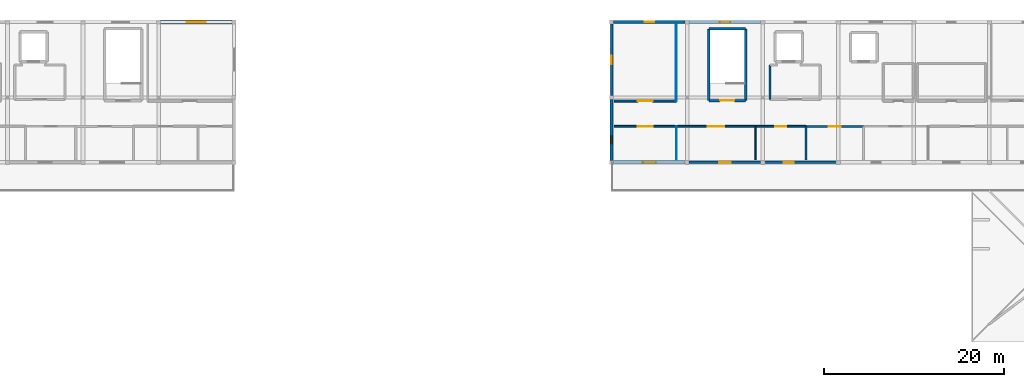
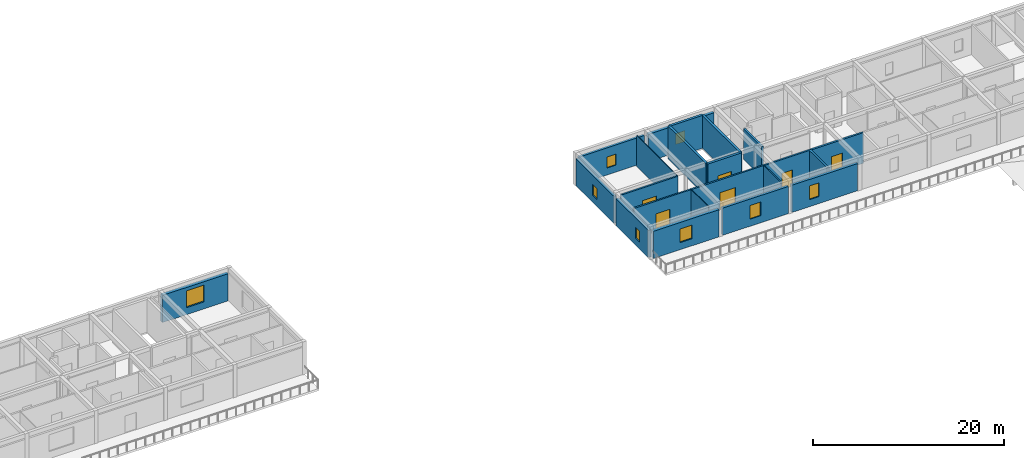
# One storey, part 17 of 22: 22 walls, 8 windows, 6 doors, 14 openings.
"""IFC4 building model written with IfcOpenShell, lengths in metres."""

from ifc_helpers import new_model, si_unit, direction, frame, frame_2d, origin, place, context, subcontext, project, spatial, rectangle, extrude, material, layer, layer_set, type_object, element, fill, save


model = new_model("IFC4")

# Units and contexts
model_context = context("Model", 3, precision=1e-05, world=origin(), true_north=direction((0.0, 1.0)))
body_context = subcontext(model_context, "Body", "Model", "MODEL_VIEW")
ifc_project = project(units=[si_unit("LENGTHUNIT", "METRE"), si_unit("AREAUNIT", "SQUARE_METRE"), si_unit("VOLUMEUNIT", "CUBIC_METRE"), si_unit("PLANEANGLEUNIT", "RADIAN"), si_unit("MASSUNIT", "GRAM", prefix="KILO")], contexts=[model_context])

# Site, building, storey
site_placement = place(None, origin())
site = spatial("IfcSite", under=ifc_project, at=site_placement, CompositionType="ELEMENT")
building_placement = place(site_placement, origin())
building = spatial("IfcBuilding", under=site, at=building_placement, Name="Varncliffe General Hospital", CompositionType="ELEMENT")
storey_placement = place(building_placement, frame((0.0, 0.0, 33.0)))
storey = spatial("IfcBuildingStorey", under=building, at=storey_placement, Name="L07", CompositionType="ELEMENT", Elevation=33.0)

# Wall, opening, window
ifc_material_1 = material(Name="Precast concrete C40/50 with insulated cream lime-cement stucco", Category="concrete")
ifc_layer_1 = layer(ifc_material_1, 0.31005859375)
ifc_layer_set_1 = layer_set([ifc_layer_1], Name="Precast concrete C40/50 with insulated cream lime-cement stucco")
wall_type_1 = type_object("IfcWallType", Name="Exterior Insulated Stucco Wall EW20 (310mm)", PredefinedType="SOLIDWALL", material=ifc_layer_set_1)
wall_1_placement = place(storey_placement, frame((109.199951171875, 116.623046875, 0.0), z_axis=(0.0, 0.0, 1.0), x_axis=(0.0, 1.0, 0.0)))
wall_1 = element("IfcWall", 1, at=wall_1_placement, inside=storey, type_object=wall_type_1, Name="L07 Exterior Stucco Wall EW20-558", PredefinedType="SOLIDWALL", context=body_context, shape_type="SweptSolid", body=[
    extrude(rectangle(XDim=7.953857421875, YDim=0.31005859375, at=frame_2d((3.97705078125, 0.0))), origin(), (0.0, 0.0, 1.0), 3.47998046875),
])
opening_1_placement = place(wall_1_placement, frame((3.501953125, 0.0, 0.89990234375)))
opening_1 = element("IfcOpeningElement", 2, at=opening_1_placement, cuts=wall_1, Name="Opening WN39", PredefinedType="OPENING", context=body_context, shape_type="SweptSolid", body=[
    extrude(rectangle(XDim=0.949951171875, YDim=1.39990234375, at=frame_2d((0.47509765625, 0.699951171875))), frame((0.0, 0.1650390625, 0.0), z_axis=(0.0, -1.0, 0.0), x_axis=(1.0, 0.0, 0.0)), (0.0, 0.0, 1.0), 0.330078125),
])
ifc_material_2 = material(Name="Triple low-E argon insulated vision glazing", Category="glass")
window_type_1 = type_object("IfcWindowType", Name="Triple-Glazed Hospital Window WN39 (950x1400)", PartitioningType="SINGLE_PANEL", PredefinedType="WINDOW", material=ifc_material_2)
window_1_placement = place(opening_1_placement, origin())
window_1 = element("IfcWindow", 3, at=window_1_placement, inside=storey, type_object=window_type_1, Name="L07 Hospital Window WN39-442", OverallHeight=1.39990234375, OverallWidth=0.949951171875, PartitioningType="SINGLE_PANEL", PredefinedType="WINDOW", context=body_context, shape_type="SweptSolid", body=[
    extrude(rectangle(XDim=0.949951171875, YDim=1.39990234375, at=frame_2d((0.47509765625, 0.699951171875))), frame((0.0, 0.030029296875, 0.0), z_axis=(0.0, -1.0, 0.0), x_axis=(1.0, 0.0, 0.0)), (0.0, 0.0, 1.0), 0.06005859375),
])
fill(opening_1, window_1)

wall_2_placement = place(storey_placement, frame((134.177001953125, 109.199951171875, 0.0), z_axis=(0.0, 0.0, 1.0), x_axis=(-1.0, 0.0, 0.0)))
wall_2 = element("IfcWall", 4, at=wall_2_placement, inside=storey, type_object=wall_type_1, Name="L07 Exterior Stucco Wall EW20-574", PredefinedType="SOLIDWALL", context=body_context, shape_type="SweptSolid", body=[
    extrude(rectangle(XDim=7.9541015625, YDim=0.31005859375, at=frame_2d((3.97705078125, 0.0))), origin(), (0.0, 0.0, 1.0), 3.47998046875),
])
opening_2_placement = place(wall_2_placement, frame((4.700927734375, 0.0, 0.89990234375)))
opening_2 = element("IfcOpeningElement", 5, at=opening_2_placement, cuts=wall_2, Name="Opening WN60", PredefinedType="OPENING", context=body_context, shape_type="SweptSolid", body=[
    extrude(rectangle(XDim=1.14990234375, YDim=1.75, at=frame_2d((0.574951171875, 0.875))), frame((0.0, 0.1650390625, 0.0), z_axis=(0.0, -1.0, 0.0), x_axis=(1.0, 0.0, 0.0)), (0.0, 0.0, 1.0), 0.330078125),
])
window_type_2 = type_object("IfcWindowType", Name="Triple-Glazed Hospital Window WN60 (1150x1750)", PartitioningType="SINGLE_PANEL", PredefinedType="WINDOW", material=ifc_material_2)
window_2_placement = place(opening_2_placement, origin())
window_2 = element("IfcWindow", 6, at=window_2_placement, inside=storey, type_object=window_type_2, Name="L07 Hospital Window WN60-456", OverallHeight=1.75, OverallWidth=1.14990234375, PartitioningType="SINGLE_PANEL", PredefinedType="WINDOW", context=body_context, shape_type="SweptSolid", body=[
    extrude(rectangle(XDim=1.14990234375, YDim=1.75, at=frame_2d((0.574951171875, 0.875))), frame((0.0, 0.030029296875, 0.0), z_axis=(0.0, -1.0, 0.0), x_axis=(1.0, 0.0, 0.0)), (0.0, 0.0, 1.0), 0.06005859375),
])
fill(opening_2, window_2)

ifc_layer_2 = layer(ifc_material_1, 0.3798828125)
ifc_layer_set_2 = layer_set([ifc_layer_2], Name="Precast concrete C40/50 with insulated cream lime-cement stucco")
wall_type_2 = type_object("IfcWallType", Name="Exterior Insulated Stucco Wall EW26 (380mm)", PredefinedType="SOLIDWALL", material=ifc_layer_set_2)
wall_3_placement = place(storey_placement, frame((117.822998046875, 124.800048828125, 0.0), z_axis=(0.0, 0.0, 1.0), x_axis=(1.0, 0.0, 0.0)))
wall_3 = element("IfcWall", 7, at=wall_3_placement, inside=storey, type_object=wall_type_2, Name="L07 Exterior Stucco Wall EW26-560", PredefinedType="SOLIDWALL", context=body_context, shape_type="SweptSolid", body=[
    extrude(rectangle(XDim=7.9541015625, YDim=0.3798828125, at=frame_2d((3.97705078125, 0.0))), origin(), (0.0, 0.0, 1.0), 3.47998046875),
])
opening_3_placement = place(wall_3_placement, frame((3.402099609375, 0.0, 0.89990234375)))
opening_3 = element("IfcOpeningElement", 8, at=opening_3_placement, cuts=wall_3, Name="Opening WN62", PredefinedType="OPENING", context=body_context, shape_type="SweptSolid", body=[
    extrude(rectangle(XDim=1.14990234375, YDim=1.39990234375, at=frame_2d((0.574951171875, 0.699951171875))), frame((0.0, 0.199951171875, 0.0), z_axis=(0.0, -1.0, 0.0), x_axis=(1.0, 0.0, 0.0)), (0.0, 0.0, 1.0), 0.39990234375),
])
window_type_3 = type_object("IfcWindowType", Name="Triple-Glazed Hospital Window WN62 (1150x1400)", PartitioningType="SINGLE_PANEL", PredefinedType="WINDOW", material=ifc_material_2)
window_3_placement = place(opening_3_placement, origin())
window_3 = element("IfcWindow", 9, at=window_3_placement, inside=storey, type_object=window_type_3, Name="L07 Hospital Window WN62-444", OverallHeight=1.39990234375, OverallWidth=1.14990234375, PartitioningType="SINGLE_PANEL", PredefinedType="WINDOW", context=body_context, shape_type="SweptSolid", body=[
    extrude(rectangle(XDim=1.14990234375, YDim=1.39990234375, at=frame_2d((0.574951171875, 0.699951171875))), frame((0.0, 0.030029296875, 0.0), z_axis=(0.0, -1.0, 0.0), x_axis=(1.0, 0.0, 0.0)), (0.0, 0.0, 1.0), 0.06005859375),
])
fill(opening_3, window_3)

wall_4_placement = place(storey_placement, frame((117.376953125, 109.199951171875, 0.0), z_axis=(0.0, 0.0, 1.0), x_axis=(-1.0, 0.0, 0.0)))
wall_4 = element("IfcWall", 10, at=wall_4_placement, inside=storey, type_object=wall_type_2, Name="L07 Exterior Stucco Wall EW26-576", PredefinedType="SOLIDWALL", context=body_context, shape_type="SweptSolid", body=[
    extrude(rectangle(XDim=7.953857421875, YDim=0.3798828125, at=frame_2d((3.97705078125, 0.0))), origin(), (0.0, 0.0, 1.0), 3.47998046875),
])
opening_4_placement = place(wall_4_placement, frame((3.251953125, 0.0, 0.89990234375)))
opening_4 = element("IfcOpeningElement", 11, at=opening_4_placement, cuts=wall_4, Name="Opening WN88", PredefinedType="OPENING", context=body_context, shape_type="SweptSolid", body=[
    extrude(rectangle(XDim=1.449951171875, YDim=1.75, at=frame_2d((0.72509765625, 0.875))), frame((0.0, 0.199951171875, 0.0), z_axis=(0.0, -1.0, 0.0), x_axis=(1.0, 0.0, 0.0)), (0.0, 0.0, 1.0), 0.39990234375),
])
window_type_4 = type_object("IfcWindowType", Name="Triple-Glazed Hospital Window WN88 (1450x1750)", PartitioningType="SINGLE_PANEL", PredefinedType="WINDOW", material=ifc_material_2)
window_4_placement = place(opening_4_placement, origin())
window_4 = element("IfcWindow", 12, at=window_4_placement, inside=storey, type_object=window_type_4, Name="L07 Hospital Window WN88-458", OverallHeight=1.75, OverallWidth=1.449951171875, PartitioningType="SINGLE_PANEL", PredefinedType="WINDOW", context=body_context, shape_type="SweptSolid", body=[
    extrude(rectangle(XDim=1.449951171875, YDim=1.75, at=frame_2d((0.72509765625, 0.875))), frame((0.0, 0.030029296875, 0.0), z_axis=(0.0, -1.0, 0.0), x_axis=(1.0, 0.0, 0.0)), (0.0, 0.0, 1.0), 0.06005859375),
])
fill(opening_4, window_4)

ifc_layer_3 = layer(ifc_material_1, 0.2900390625)
ifc_layer_set_3 = layer_set([ifc_layer_3], Name="Precast concrete C40/50 with insulated cream lime-cement stucco")
wall_type_3 = type_object("IfcWallType", Name="Exterior Insulated Stucco Wall EW31 (290mm)", PredefinedType="SOLIDWALL", material=ifc_layer_set_3)
wall_5_placement = place(storey_placement, frame((109.423095703125, 124.800048828125, 0.0), z_axis=(0.0, 0.0, 1.0), x_axis=(1.0, 0.0, 0.0)))
wall_5 = element("IfcWall", 13, at=wall_5_placement, inside=storey, type_object=wall_type_3, Name="L07 Exterior Stucco Wall EW31-559", PredefinedType="SOLIDWALL", context=body_context, shape_type="SweptSolid", body=[
    extrude(rectangle(XDim=7.953857421875, YDim=0.2900390625, at=frame_2d((3.97705078125, 0.0))), origin(), (0.0, 0.0, 1.0), 3.47998046875),
])
opening_5_placement = place(wall_5_placement, frame((3.451904296875, 0.0, 0.89990234375)))
opening_5 = element("IfcOpeningElement", 14, at=opening_5_placement, cuts=wall_5, Name="Opening WN68", PredefinedType="OPENING", context=body_context, shape_type="SweptSolid", body=[
    extrude(rectangle(XDim=1.050048828125, YDim=1.39990234375, at=frame_2d((0.52490234375, 0.699951171875))), frame((0.0, 0.155029296875, 0.0), z_axis=(0.0, -1.0, 0.0), x_axis=(1.0, 0.0, 0.0)), (0.0, 0.0, 1.0), 0.31005859375),
])
window_type_5 = type_object("IfcWindowType", Name="Triple-Glazed Hospital Window WN68 (1050x1400)", PartitioningType="SINGLE_PANEL", PredefinedType="WINDOW", material=ifc_material_2)
window_5_placement = place(opening_5_placement, origin())
window_5 = element("IfcWindow", 15, at=window_5_placement, inside=storey, type_object=window_type_5, Name="L07 Hospital Window WN68-443", OverallHeight=1.39990234375, OverallWidth=1.050048828125, PartitioningType="SINGLE_PANEL", PredefinedType="WINDOW", context=body_context, shape_type="SweptSolid", body=[
    extrude(rectangle(XDim=1.050048828125, YDim=1.39990234375, at=frame_2d((0.52490234375, 0.699951171875))), frame((0.0, 0.030029296875, 0.0), z_axis=(0.0, -1.0, 0.0), x_axis=(1.0, 0.0, 0.0)), (0.0, 0.0, 1.0), 0.06005859375),
])
fill(opening_5, window_5)

wall_6_placement = place(storey_placement, frame((125.777099609375, 109.199951171875, 0.0), z_axis=(0.0, 0.0, 1.0), x_axis=(-1.0, 0.0, 0.0)))
wall_6 = element("IfcWall", 16, at=wall_6_placement, inside=storey, type_object=wall_type_3, Name="L07 Exterior Stucco Wall EW31-575", PredefinedType="SOLIDWALL", context=body_context, shape_type="SweptSolid", body=[
    extrude(rectangle(XDim=7.9541015625, YDim=0.2900390625, at=frame_2d((3.97705078125, 0.0))), origin(), (0.0, 0.0, 1.0), 3.47998046875),
])
opening_6_placement = place(wall_6_placement, frame((3.326904296875, 0.0, 0.89990234375)))
opening_6 = element("IfcOpeningElement", 17, at=opening_6_placement, cuts=wall_6, Name="Opening WN40", PredefinedType="OPENING", context=body_context, shape_type="SweptSolid", body=[
    extrude(rectangle(XDim=1.300048828125, YDim=1.75, at=frame_2d((0.64990234375, 0.875))), frame((0.0, 0.155029296875, 0.0), z_axis=(0.0, -1.0, 0.0), x_axis=(1.0, 0.0, 0.0)), (0.0, 0.0, 1.0), 0.31005859375),
])
window_type_6 = type_object("IfcWindowType", Name="Triple-Glazed Hospital Window WN40 (1300x1750)", PartitioningType="SINGLE_PANEL", PredefinedType="WINDOW", material=ifc_material_2)
window_6_placement = place(opening_6_placement, origin())
window_6 = element("IfcWindow", 18, at=window_6_placement, inside=storey, type_object=window_type_6, Name="L07 Hospital Window WN40-457", OverallHeight=1.75, OverallWidth=1.300048828125, PartitioningType="SINGLE_PANEL", PredefinedType="WINDOW", context=body_context, shape_type="SweptSolid", body=[
    extrude(rectangle(XDim=1.300048828125, YDim=1.75, at=frame_2d((0.64990234375, 0.875))), frame((0.0, 0.030029296875, 0.0), z_axis=(0.0, -1.0, 0.0), x_axis=(1.0, 0.0, 0.0)), (0.0, 0.0, 1.0), 0.06005859375),
])
fill(opening_6, window_6)

ifc_layer_4 = layer(ifc_material_1, 0.330078125)
ifc_layer_set_4 = layer_set([ifc_layer_4], Name="Precast concrete C40/50 with insulated cream lime-cement stucco")
wall_type_4 = type_object("IfcWallType", Name="Exterior Insulated Stucco Wall EW33 (330mm)", PredefinedType="SOLIDWALL", material=ifc_layer_set_4)
wall_7_placement = place(storey_placement, frame((109.199951171875, 109.423095703125, 0.0), z_axis=(0.0, 0.0, 1.0), x_axis=(0.0, 1.0, 0.0)))
wall_7 = element("IfcWall", 19, at=wall_7_placement, inside=storey, type_object=wall_type_4, Name="L07 Exterior Stucco Wall EW33-557", PredefinedType="SOLIDWALL", context=body_context, shape_type="SweptSolid", body=[
    extrude(rectangle(XDim=6.75390625, YDim=0.330078125, at=frame_2d((3.376953125, 0.0))), origin(), (0.0, 0.0, 1.0), 3.47998046875),
])
opening_7_placement = place(wall_7_placement, frame((1.85107421875, 0.0, 0.89990234375)))
opening_7 = element("IfcOpeningElement", 20, at=opening_7_placement, cuts=wall_7, Name="Opening WN77", PredefinedType="OPENING", context=body_context, shape_type="SweptSolid", body=[
    extrude(rectangle(XDim=0.85009765625, YDim=1.39990234375, at=frame_2d((0.425048828125, 0.699951171875))), frame((0.0, 0.175048828125, 0.0), z_axis=(0.0, -1.0, 0.0), x_axis=(1.0, 0.0, 0.0)), (0.0, 0.0, 1.0), 0.35009765625),
])
window_type_7 = type_object("IfcWindowType", Name="Triple-Glazed Hospital Window WN77 (850x1400)", PartitioningType="SINGLE_PANEL", PredefinedType="WINDOW", material=ifc_material_2)
window_7_placement = place(opening_7_placement, origin())
window_7 = element("IfcWindow", 21, at=window_7_placement, inside=storey, type_object=window_type_7, Name="L07 Hospital Window WN77-441", OverallHeight=1.39990234375, OverallWidth=0.85009765625, PartitioningType="SINGLE_PANEL", PredefinedType="WINDOW", context=body_context, shape_type="SweptSolid", body=[
    extrude(rectangle(XDim=0.85009765625, YDim=1.39990234375, at=frame_2d((0.425048828125, 0.699951171875))), frame((0.0, 0.030029296875, 0.0), z_axis=(0.0, -1.0, 0.0), x_axis=(1.0, 0.0, 0.0)), (0.0, 0.0, 1.0), 0.06005859375),
])
fill(opening_7, window_7)

ifc_layer_5 = layer(ifc_material_1, 0.39990234375)
ifc_layer_set_5 = layer_set([ifc_layer_5], Name="Precast concrete C40/50 with insulated cream lime-cement stucco")
wall_type_5 = type_object("IfcWallType", Name="Exterior Insulated Stucco Wall EW47 (400mm)", PredefinedType="SOLIDWALL", material=ifc_layer_set_5)
wall_8_placement = place(storey_placement, frame((59.02294921875, 124.800048828125, 0.0), z_axis=(0.0, 0.0, 1.0), x_axis=(1.0, 0.0, 0.0)))
wall_8 = element("IfcWall", 22, at=wall_8_placement, inside=storey, type_object=wall_type_5, Name="L07 Exterior Stucco Wall EW47-546", PredefinedType="SOLIDWALL", context=body_context, shape_type="SweptSolid", body=[
    extrude(rectangle(XDim=7.9541015625, YDim=0.39990234375, at=frame_2d((3.97705078125, 0.0))), origin(), (0.0, 0.0, 1.0), 3.47998046875),
])
opening_8_placement = place(wall_8_placement, frame((2.902099609375, 0.0, 0.89990234375)))
opening_8 = element("IfcOpeningElement", 23, at=opening_8_placement, cuts=wall_8, Name="Opening WN57", PredefinedType="OPENING", context=body_context, shape_type="SweptSolid", body=[
    extrude(rectangle(XDim=2.14990234375, YDim=2.14990234375, at=frame_2d((1.074951171875, 1.074951171875))), frame((0.0, 0.2099609375, 0.0), z_axis=(0.0, -1.0, 0.0), x_axis=(1.0, 0.0, 0.0)), (0.0, 0.0, 1.0), 0.419921875),
])
window_type_8 = type_object("IfcWindowType", Name="Triple-Glazed Hospital Window WN57 (2150x2150)", PartitioningType="DOUBLE_PANEL_VERTICAL", PredefinedType="WINDOW", material=ifc_material_2)
window_8_placement = place(opening_8_placement, origin())
window_8 = element("IfcWindow", 24, at=window_8_placement, inside=storey, type_object=window_type_8, Name="L07 Hospital Window WN57-433", OverallHeight=2.14990234375, OverallWidth=2.14990234375, PartitioningType="DOUBLE_PANEL_VERTICAL", PredefinedType="WINDOW", context=body_context, shape_type="SweptSolid", body=[
    extrude(rectangle(XDim=2.14990234375, YDim=2.14990234375, at=frame_2d((1.074951171875, 1.074951171875))), frame((0.0, 0.030029296875, 0.0), z_axis=(0.0, -1.0, 0.0), x_axis=(1.0, 0.0, 0.0)), (0.0, 0.0, 1.0), 0.06005859375),
])
fill(opening_8, window_8)

# Walls
ifc_material_3 = material(Name="Acoustic clinical gypsum stud partition assembly", Category="gypsum")
ifc_layer_6 = layer(ifc_material_3, 0.1298828125)
ifc_layer_set_6 = layer_set([ifc_layer_6], Name="Acoustic clinical gypsum stud partition assembly")
wall_type_6 = type_object("IfcWallType", Name="Interior Partitioning IW11 (130mm)", PredefinedType="PARTITIONING", material=ifc_layer_set_6)
wall_9_placement = place(storey_placement, frame((125.199951171875, 109.4599609375, 0.0), z_axis=(0.0, 0.0, 1.0), x_axis=(0.0, 1.0, 0.0)))
element("IfcWall", 25, at=wall_9_placement, inside=storey, type_object=wall_type_6, Name="L07 Interior Partition Wall IW11-2393", PredefinedType="PARTITIONING", context=body_context, shape_type="SweptSolid", body=[
    extrude(rectangle(XDim=3.739990234375, YDim=0.1298828125, at=frame_2d((1.8701171875, 0.0))), origin(), (0.0, 0.0, 1.0), 3.919921875),
])
ifc_layer_7 = layer(ifc_material_3, 0.090087890625)
ifc_layer_set_7 = layer_set([ifc_layer_7], Name="Acoustic clinical gypsum stud partition assembly")
wall_type_7 = type_object("IfcWallType", Name="Interior Partitioning IW42 (90mm)", PredefinedType="PARTITIONING", material=ifc_layer_set_7)
wall_10_placement = place(storey_placement, frame((116.39990234375, 109.4599609375, 0.0), z_axis=(0.0, 0.0, 1.0), x_axis=(0.0, 1.0, 0.0)))
element("IfcWall", 26, at=wall_10_placement, inside=storey, type_object=wall_type_7, Name="L07 Interior Partition Wall IW42-2391", PredefinedType="PARTITIONING", context=body_context, shape_type="SweptSolid", body=[
    extrude(rectangle(XDim=3.739990234375, YDim=0.090087890625, at=frame_2d((1.8701171875, 0.0))), origin(), (0.0, 0.0, 1.0), 3.919921875),
])
ifc_layer_8 = layer(ifc_material_3, 0.110107421875)
ifc_layer_set_8 = layer_set([ifc_layer_8], Name="Acoustic clinical gypsum stud partition assembly")
wall_type_8 = type_object("IfcWallType", Name="Interior Partitioning IW65 (110mm)", PredefinedType="PARTITIONING", material=ifc_layer_set_8)
wall_11_placement = place(storey_placement, frame((116.39990234375, 116.0, 0.0), z_axis=(0.0, 0.0, 1.0), x_axis=(0.0, 1.0, 0.0)))
element("IfcWall", 27, at=wall_11_placement, inside=storey, type_object=wall_type_8, Name="L07 Interior Partition Wall IW65-2392", PredefinedType="PARTITIONING", context=body_context, shape_type="SweptSolid", body=[
    extrude(rectangle(XDim=8.5400390625, YDim=0.110107421875, at=frame_2d((4.27001953125, 0.0))), origin(), (0.0, 0.0, 1.0), 3.919921875),
])
ifc_material_4 = material(Name="Fire-rated gypsum and mineral-wool partition assembly", Category="gypsum")
ifc_layer_9 = layer(ifc_material_4, 0.25)
ifc_layer_set_9 = layer_set([ifc_layer_9], Name="Fire-rated gypsum and mineral-wool partition assembly")
wall_type_9 = type_object("IfcWallType", Name="Interior Partitioning PW38 (250mm)", PredefinedType="PARTITIONING", material=ifc_layer_set_9)
wall_12_placement = place(storey_placement, frame((130.800048828125, 109.4599609375, 0.0), z_axis=(0.0, 0.0, 1.0), x_axis=(0.0, 1.0, 0.0)))
element("IfcWall", 28, at=wall_12_placement, inside=storey, type_object=wall_type_9, Name="L07 Interior Partition Wall PW38-2395", PredefinedType="PARTITIONING", context=body_context, shape_type="SweptSolid", body=[
    extrude(rectangle(XDim=3.739990234375, YDim=0.25, at=frame_2d((1.8701171875, 0.0))), origin(), (0.0, 0.0, 1.0), 3.919921875),
])

# Wall, opening, door
ifc_layer_10 = layer(ifc_material_4, 0.22998046875)
ifc_layer_set_10 = layer_set([ifc_layer_10], Name="Fire-rated gypsum and mineral-wool partition assembly")
wall_type_10 = type_object("IfcWallType", Name="Interior Partitioning PW48 (230mm)", PredefinedType="PARTITIONING", material=ifc_layer_set_10)
wall_13_placement = place(storey_placement, frame((130.800048828125, 113.199951171875, 0.0), z_axis=(0.0, 0.0, 1.0), x_axis=(1.0, 0.0, 0.0)))
wall_13 = element("IfcWall", 29, at=wall_13_placement, inside=storey, type_object=wall_type_10, Name="L07 Interior Partition Wall PW48-2342", PredefinedType="PARTITIONING", context=body_context, shape_type="SweptSolid", body=[
    extrude(rectangle(XDim=6.39990234375, YDim=0.22998046875, at=frame_2d((3.199951171875, 0.0))), origin(), (0.0, 0.0, 1.0), 3.919921875),
])
opening_9_placement = place(wall_13_placement, frame((2.550048828125, 0.0, 0.0)))
opening_9 = element("IfcOpeningElement", 30, at=opening_9_placement, cuts=wall_13, Name="Opening DC88", PredefinedType="OPENING", context=body_context, shape_type="SweptSolid", body=[
    extrude(rectangle(XDim=1.300048828125, YDim=2.199951171875, at=frame_2d((0.64990234375, 1.10009765625))), frame((0.0, 0.125, 0.0), z_axis=(0.0, -1.0, 0.0), x_axis=(1.0, 0.0, 0.0)), (0.0, 0.0, 1.0), 0.25),
])
ifc_material_5 = material(Name="Fire-rated hospital steel-frame vision-panel door", Category="steel")
door_type_1 = type_object("IfcDoorType", Name="Interior Hospital Door DC88 (1300x2200)", OperationType="NOTDEFINED", PredefinedType="DOOR", material=ifc_material_5)
door_1_placement = place(opening_9_placement, frame((1.300048828125, 0.0, 0.0), z_axis=(0.0, 0.0, 1.0), x_axis=(-1.0, 0.0, 0.0)))
door_1 = element("IfcDoor", 31, at=door_1_placement, inside=storey, type_object=door_type_1, Name="L07 Crown Wing Mechanical Plant Room 30 Door", OperationType="SINGLE_SWING_RIGHT", OverallHeight=2.199951171875, OverallWidth=1.300048828125, PredefinedType="DOOR", context=body_context, shape_type="SweptSolid", body=[
    extrude(rectangle(XDim=1.300048828125, YDim=2.199951171875, at=frame_2d((0.64990234375, 1.10009765625))), frame((0.0, 0.02490234375, 0.0), z_axis=(0.0, -1.0, 0.0), x_axis=(1.0, 0.0, 0.0)), (0.0, 0.0, 1.0), 0.050048828125),
])
fill(opening_9, door_1)

# Wall
wall_14_placement = place(storey_placement, frame((126.800048828125, 116.199951171875, 0.0), z_axis=(0.0, 0.0, 1.0), x_axis=(0.0, 1.0, 0.0)))
element("IfcWall", 32, at=wall_14_placement, inside=storey, type_object=wall_type_10, Name="L07 Interior Partition Wall PW48-2394", PredefinedType="PARTITIONING", context=body_context, shape_type="SweptSolid", body=[
    extrude(rectangle(XDim=3.800048828125, YDim=0.22998046875, at=frame_2d((1.89990234375, 0.0))), origin(), (0.0, 0.0, 1.0), 3.919921875),
])

# Wall, opening, door
ifc_layer_11 = layer(ifc_material_4, 0.199951171875)
ifc_layer_set_11 = layer_set([ifc_layer_11], Name="Fire-rated gypsum and mineral-wool partition assembly")
wall_type_11 = type_object("IfcWallType", Name="Interior Partitioning PW63 (200mm)", PredefinedType="PARTITIONING", material=ifc_layer_set_11)
wall_15_placement = place(storey_placement, frame((109.4599609375, 113.199951171875, 0.0), z_axis=(0.0, 0.0, 1.0), x_axis=(1.0, 0.0, 0.0)))
wall_15 = element("IfcWall", 33, at=wall_15_placement, inside=storey, type_object=wall_type_11, Name="L07 Interior Partition Wall PW63-2339", PredefinedType="PARTITIONING", context=body_context, shape_type="SweptSolid", body=[
    extrude(rectangle(XDim=6.93994140625, YDim=0.199951171875, at=frame_2d((3.469970703125, 0.0))), origin(), (0.0, 0.0, 1.0), 3.919921875),
])
opening_10_placement = place(wall_15_placement, frame((2.6201171875, 0.0, 0.0)))
opening_10 = element("IfcOpeningElement", 34, at=opening_10_placement, cuts=wall_15, Name="Opening DC50", PredefinedType="OPENING", context=body_context, shape_type="SweptSolid", body=[
    extrude(rectangle(XDim=1.699951171875, YDim=2.300048828125, at=frame_2d((0.85009765625, 1.14990234375))), frame((0.0, 0.10986328125, 0.0), z_axis=(0.0, -1.0, 0.0), x_axis=(1.0, 0.0, 0.0)), (0.0, 0.0, 1.0), 0.219970703125),
])
door_type_2 = type_object("IfcDoorType", Name="Interior Hospital Door DC50 (1700x2300)", OperationType="NOTDEFINED", PredefinedType="DOOR", material=ifc_material_5)
door_2_placement = place(opening_10_placement, frame((1.699951171875, 0.0, 0.0), z_axis=(0.0, 0.0, 1.0), x_axis=(-1.0, 0.0, 0.0)))
door_2 = element("IfcDoor", 35, at=door_2_placement, inside=storey, type_object=door_type_2, Name="L07 Adolescent Inpatient Suite 27 Door", OperationType="SINGLE_SWING_LEFT", OverallHeight=2.300048828125, OverallWidth=1.699951171875, PredefinedType="DOOR", context=body_context, shape_type="SweptSolid", body=[
    extrude(rectangle(XDim=1.699951171875, YDim=2.300048828125, at=frame_2d((0.85009765625, 1.14990234375))), frame((0.0, 0.02490234375, 0.0), z_axis=(0.0, -1.0, 0.0), x_axis=(1.0, 0.0, 0.0)), (0.0, 0.0, 1.0), 0.050048828125),
])
fill(opening_10, door_2)

wall_16_placement = place(storey_placement, frame((116.39990234375, 113.199951171875, 0.0), z_axis=(0.0, 0.0, 1.0), x_axis=(1.0, 0.0, 0.0)))
wall_16 = element("IfcWall", 36, at=wall_16_placement, inside=storey, type_object=wall_type_11, Name="L07 Interior Partition Wall PW63-2340", PredefinedType="PARTITIONING", context=body_context, shape_type="SweptSolid", body=[
    extrude(rectangle(XDim=8.800048828125, YDim=0.199951171875, at=frame_2d((4.39990234375, 0.0))), origin(), (0.0, 0.0, 1.0), 3.919921875),
])
opening_11_placement = place(wall_16_placement, frame((3.47509765625, 0.0, 0.0)))
opening_11 = element("IfcOpeningElement", 37, at=opening_11_placement, cuts=wall_16, Name="Opening DC38", PredefinedType="OPENING", context=body_context, shape_type="SweptSolid", body=[
    extrude(rectangle(XDim=1.85009765625, YDim=2.300048828125, at=frame_2d((0.925048828125, 1.14990234375))), frame((0.0, 0.10986328125, 0.0), z_axis=(0.0, -1.0, 0.0), x_axis=(1.0, 0.0, 0.0)), (0.0, 0.0, 1.0), 0.219970703125),
])
door_type_3 = type_object("IfcDoorType", Name="Interior Hospital Door DC38 (1850x2300)", OperationType="NOTDEFINED", PredefinedType="DOOR", material=ifc_material_5)
door_3_placement = place(opening_11_placement, frame((1.85009765625, 0.0, 0.0), z_axis=(0.0, 0.0, 1.0), x_axis=(-1.0, 0.0, 0.0)))
door_3 = element("IfcDoor", 38, at=door_3_placement, inside=storey, type_object=door_type_3, Name="L07 Patient Healing Solarium 28 Door", OperationType="SINGLE_SWING_RIGHT", OverallHeight=2.300048828125, OverallWidth=1.85009765625, PredefinedType="DOOR", context=body_context, shape_type="SweptSolid", body=[
    extrude(rectangle(XDim=1.85009765625, YDim=2.300048828125, at=frame_2d((0.925048828125, 1.14990234375))), frame((0.0, 0.02490234375, 0.0), z_axis=(0.0, -1.0, 0.0), x_axis=(1.0, 0.0, 0.0)), (0.0, 0.0, 1.0), 0.050048828125),
])
fill(opening_11, door_3)

wall_17_placement = place(storey_placement, frame((125.199951171875, 113.199951171875, 0.0), z_axis=(0.0, 0.0, 1.0), x_axis=(1.0, 0.0, 0.0)))
wall_17 = element("IfcWall", 39, at=wall_17_placement, inside=storey, type_object=wall_type_11, Name="L07 Interior Partition Wall PW63-2341", PredefinedType="PARTITIONING", context=body_context, shape_type="SweptSolid", body=[
    extrude(rectangle(XDim=5.60009765625, YDim=0.199951171875, at=frame_2d((2.800048828125, 0.0))), origin(), (0.0, 0.0, 1.0), 3.919921875),
])
opening_12_placement = place(wall_17_placement, frame((2.175048828125, 0.0, 0.0)))
opening_12 = element("IfcOpeningElement", 40, at=opening_12_placement, cuts=wall_17, Name="Opening DC44", PredefinedType="OPENING", context=body_context, shape_type="SweptSolid", body=[
    extrude(rectangle(XDim=1.25, YDim=2.14990234375, at=frame_2d((0.625, 1.074951171875))), frame((0.0, 0.10986328125, 0.0), z_axis=(0.0, -1.0, 0.0), x_axis=(1.0, 0.0, 0.0)), (0.0, 0.0, 1.0), 0.219970703125),
])
door_type_4 = type_object("IfcDoorType", Name="Interior Hospital Door DC44 (1250x2150)", OperationType="NOTDEFINED", PredefinedType="DOOR", material=ifc_material_5)
door_4_placement = place(opening_12_placement, frame((1.25, 0.0, 0.0), z_axis=(0.0, 0.0, 1.0), x_axis=(-1.0, 0.0, 0.0)))
door_4 = element("IfcDoor", 41, at=door_4_placement, inside=storey, type_object=door_type_4, Name="L07 On-Call Physician Duty Room 29 Door", OperationType="SINGLE_SWING_LEFT", OverallHeight=2.14990234375, OverallWidth=1.25, PredefinedType="DOOR", context=body_context, shape_type="SweptSolid", body=[
    extrude(rectangle(XDim=1.25, YDim=2.14990234375, at=frame_2d((0.625, 1.074951171875))), frame((0.0, 0.02490234375, 0.0), z_axis=(0.0, -1.0, 0.0), x_axis=(1.0, 0.0, 0.0)), (0.0, 0.0, 1.0), 0.050048828125),
])
fill(opening_12, door_4)

wall_18_placement = place(storey_placement, frame((109.4599609375, 116.0, 0.0), z_axis=(0.0, 0.0, 1.0), x_axis=(1.0, 0.0, 0.0)))
wall_18 = element("IfcWall", 42, at=wall_18_placement, inside=storey, type_object=wall_type_11, Name="L07 Interior Partition Wall PW63-2353", PredefinedType="PARTITIONING", context=body_context, shape_type="SweptSolid", body=[
    extrude(rectangle(XDim=6.93994140625, YDim=0.199951171875, at=frame_2d((3.469970703125, 0.0))), origin(), (0.0, 0.0, 1.0), 3.919921875),
])
opening_13_placement = place(wall_18_placement, frame((2.6201171875, 0.0, 0.0)))
opening_13 = element("IfcOpeningElement", 43, at=opening_13_placement, cuts=wall_18, Name="Opening DC50", PredefinedType="OPENING", context=body_context, shape_type="SweptSolid", body=[
    extrude(rectangle(XDim=1.699951171875, YDim=2.300048828125, at=frame_2d((0.85009765625, 1.14990234375))), frame((0.0, 0.10986328125, 0.0), z_axis=(0.0, -1.0, 0.0), x_axis=(1.0, 0.0, 0.0)), (0.0, 0.0, 1.0), 0.219970703125),
])
door_5_placement = place(opening_13_placement, origin())
door_5 = element("IfcDoor", 44, at=door_5_placement, inside=storey, type_object=door_type_2, Name="L07 Adolescent Inpatient Suite 39 Door", OperationType="SINGLE_SWING_LEFT", OverallHeight=2.300048828125, OverallWidth=1.699951171875, PredefinedType="DOOR", context=body_context, shape_type="SweptSolid", body=[
    extrude(rectangle(XDim=1.699951171875, YDim=2.300048828125, at=frame_2d((0.85009765625, 1.14990234375))), frame((0.0, 0.02490234375, 0.0), z_axis=(0.0, -1.0, 0.0), x_axis=(1.0, 0.0, 0.0)), (0.0, 0.0, 1.0), 0.050048828125),
])
fill(opening_13, door_5)

# Walls
ifc_material_6 = material(Name="Concrete C40/50 (CSA A23.1 40 MPa)", Category="concrete")
ifc_layer_12 = layer(ifc_material_6, 0.280029296875)
ifc_layer_set_12 = layer_set([ifc_layer_12], Name="Concrete C40/50 (CSA A23.1 40 MPa)")
wall_type_12 = type_object("IfcWallType", Name="Reinforced Concrete Core Shear Wall CW13 (280mm)", PredefinedType="SHEAR", material=ifc_layer_set_12)
wall_19_placement = place(storey_placement, frame((124.090087890625, 116.06005859375, 0.0), z_axis=(0.0, 0.0, 1.0), x_axis=(0.0, 1.0, 0.0)))
element("IfcWall", 45, at=wall_19_placement, inside=storey, type_object=wall_type_12, Name="L07 ST03 Core Shear Wall L", PredefinedType="SHEAR", context=body_context, shape_type="SweptSolid", body=[
    extrude(rectangle(XDim=7.97998046875, YDim=0.280029296875, at=frame_2d((3.989990234375, 0.0))), origin(), (0.0, 0.0, 1.0), 4.199951171875),
])
wall_20_placement = place(storey_placement, frame((124.090087890625, 124.0400390625, 0.0), z_axis=(0.0, 0.0, 1.0), x_axis=(-1.0, 0.0, 0.0)))
element("IfcWall", 46, at=wall_20_placement, inside=storey, type_object=wall_type_12, Name="L07 ST03 Core Shear Wall F", PredefinedType="SHEAR", context=body_context, shape_type="SweptSolid", body=[
    extrude(rectangle(XDim=4.080078125, YDim=0.280029296875, at=frame_2d((2.0400390625, 0.0))), origin(), (0.0, 0.0, 1.0), 4.199951171875),
])
wall_21_placement = place(storey_placement, frame((120.010009765625, 124.0400390625, 0.0), z_axis=(0.0, 0.0, 1.0), x_axis=(0.0, -1.0, 0.0)))
element("IfcWall", 47, at=wall_21_placement, inside=storey, type_object=wall_type_12, Name="L07 ST03 Core Shear Wall R", PredefinedType="SHEAR", context=body_context, shape_type="SweptSolid", body=[
    extrude(rectangle(XDim=7.97998046875, YDim=0.280029296875, at=frame_2d((3.989990234375, 0.0))), origin(), (0.0, 0.0, 1.0), 4.199951171875),
])

# Wall, opening, door
wall_22_placement = place(storey_placement, frame((120.010009765625, 116.06005859375, 0.0), z_axis=(0.0, 0.0, 1.0), x_axis=(1.0, 0.0, 0.0)))
wall_22 = element("IfcWall", 48, at=wall_22_placement, inside=storey, type_object=wall_type_12, Name="L07 ST03 Core Shear Wall N", PredefinedType="SHEAR", context=body_context, shape_type="SweptSolid", body=[
    extrude(rectangle(XDim=4.080078125, YDim=0.280029296875, at=frame_2d((2.0400390625, 0.0))), origin(), (0.0, 0.0, 1.0), 4.199951171875),
])
opening_14_placement = place(wall_22_placement, frame((1.239990234375, 0.0, 0.0)))
opening_14 = element("IfcOpeningElement", 49, at=opening_14_placement, cuts=wall_22, Name="Opening DF27", PredefinedType="OPENING", context=body_context, shape_type="SweptSolid", body=[
    extrude(rectangle(XDim=1.60009765625, YDim=2.25, at=frame_2d((0.800048828125, 1.125))), frame((0.0, 0.14990234375, 0.0), z_axis=(0.0, -1.0, 0.0), x_axis=(1.0, 0.0, 0.0)), (0.0, 0.0, 1.0), 0.300048828125),
])
door_type_5 = type_object("IfcDoorType", Name="Interior Hospital Door DF27 (1600x2250)", OperationType="NOTDEFINED", PredefinedType="DOOR", material=ifc_material_5)
door_6_placement = place(opening_14_placement, frame((1.60009765625, 0.0, 0.0), z_axis=(0.0, 0.0, 1.0), x_axis=(-1.0, 0.0, 0.0)))
door_6 = element("IfcDoor", 50, at=door_6_placement, inside=storey, type_object=door_type_5, Name="L07 ST03 Protected Exit Stair Door", OperationType="SINGLE_SWING_LEFT", OverallHeight=2.25, OverallWidth=1.60009765625, PredefinedType="DOOR", context=body_context, shape_type="SweptSolid", body=[
    extrude(rectangle(XDim=1.60009765625, YDim=2.25, at=frame_2d((0.800048828125, 1.125))), frame((0.0, 0.02490234375, 0.0), z_axis=(0.0, -1.0, 0.0), x_axis=(1.0, 0.0, 0.0)), (0.0, 0.0, 1.0), 0.050048828125),
])
fill(opening_14, door_6)

save(model, "model.ifc")
